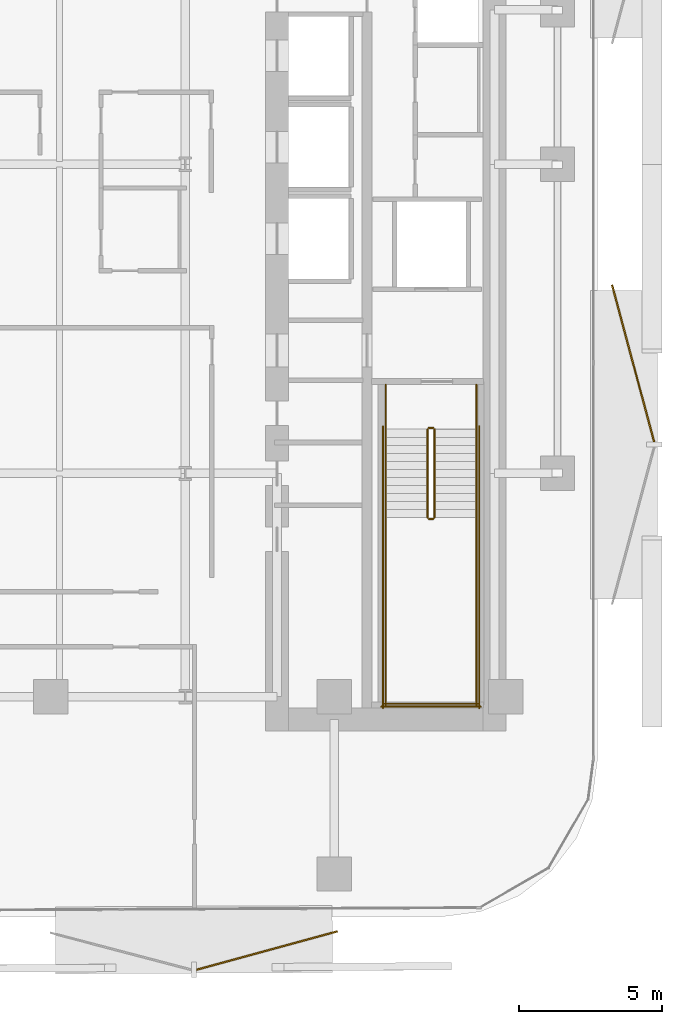
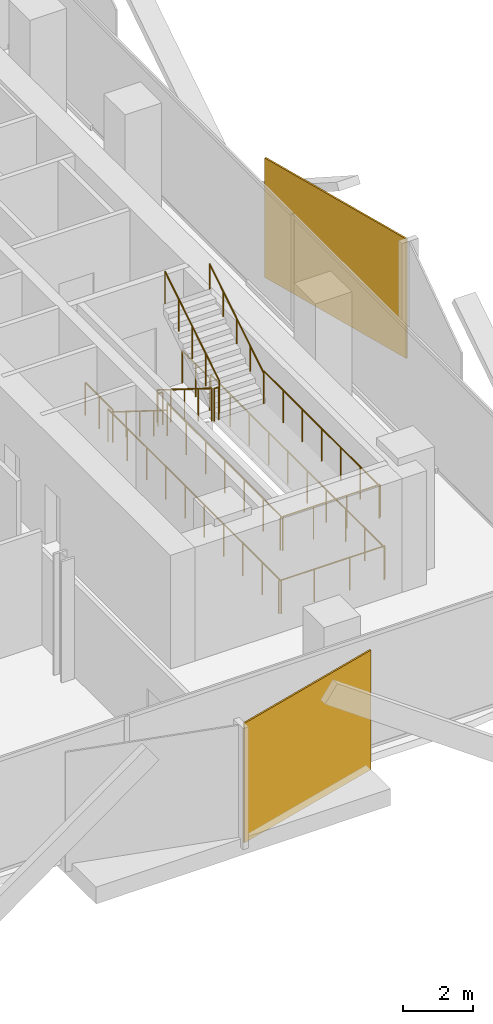
# One storey, part 13 of 15: 14 railings, 2 coverings.
"""IFC4 building model written with IfcOpenShell, lengths in metres."""

from ifc_helpers import new_model, si_unit, direction, frame, origin, origin_2d, place, context, subcontext, project, spatial, rectangle, circle, extrude, material, layer, layer_set, type_object, element, save


model = new_model("IFC4")

# Units and contexts
model_context = context("Model", 3, precision=1e-05, world=origin(), true_north=direction((0.0, 1.0)))
body_context = subcontext(model_context, "Body", "Model", "MODEL_VIEW")
ifc_project = project(units=[si_unit("LENGTHUNIT", "METRE"), si_unit("AREAUNIT", "SQUARE_METRE"), si_unit("VOLUMEUNIT", "CUBIC_METRE"), si_unit("PLANEANGLEUNIT", "RADIAN"), si_unit("MASSUNIT", "GRAM", prefix="KILO")], contexts=[model_context])

# Site, building, storey
site_placement = place(None, origin())
site = spatial("IfcSite", under=ifc_project, at=site_placement, CompositionType="ELEMENT")
building_placement = place(site_placement, origin())
building = spatial("IfcBuilding", under=site, at=building_placement, Name="Khairoan Windgate Tower", CompositionType="ELEMENT")
storey_placement = place(building_placement, frame((0.0, 0.0, 131.0)))
storey = spatial("IfcBuildingStorey", under=building, at=storey_placement, Name="L30", CompositionType="ELEMENT", Elevation=131.0)

# Coverings
ifc_material_1 = material(Name="Anodised Bronze Aluminium 6063-T6", Category="aluminium")
ifc_layer = layer(ifc_material_1, 0.054931640625, Name="Anodised Bronze Aluminium 6063-T6")
ifc_layer_set = layer_set([ifc_layer], Name="Anodised Bronze Aluminium 6063-T6")
covering_type = type_object("IfcCoveringType", Name="Perforated Bronze-Ceramic Folded Solar Screen Cladding BSC-1", PredefinedType="CLADDING", material=ifc_layer_set)
covering_1_placement = place(storey_placement, frame((12.05322265625, -27.472412109375, -0.10009765625), z_axis=(0.0, 0.0, 1.0), x_axis=(-0.964649468762, -0.263536339841, 0.0)))
element("IfcCovering", 1, at=covering_1_placement, inside=storey, type_object=covering_type, Name="L30 Folded Bronze Solar Screen Facet 185L", PredefinedType="CLADDING", context=body_context, shape_type="SweptSolid", body=[
    extrude(rectangle(XDim=5.10107421875, YDim=0.054931640625, at=origin_2d()), origin(), (0.0, 0.0, 1.0), 4.139892578125),
])
covering_2_placement = place(storey_placement, frame((24.8447265625, -6.961669921875, -0.10009765625), z_axis=(0.0, 0.0, 1.0), x_axis=(0.258819045103, -0.965925826289, 0.0)))
element("IfcCovering", 2, at=covering_2_placement, inside=storey, type_object=covering_type, Name="L30 Folded Bronze Solar Screen Facet 192L", PredefinedType="CLADDING", context=body_context, shape_type="SweptSolid", body=[
    extrude(rectangle(XDim=5.680908203125, YDim=0.054931640625, at=origin_2d()), origin(), (0.0, 0.0, 1.0), 4.139892578125),
])

# Railings
ifc_material_2 = material(Name="Anodised Bronze Aluminium 6063-T6", Category="aluminium")
railing_type_1 = type_object("IfcRailingType", Name="Stair Wall Handrail SHR-900", PredefinedType="HANDRAIL", material=ifc_material_2)
railing_1_placement = place(storey_placement, frame((16.199951171875, -9.260009765625, 0.175048828125)))
element("IfcRailing", 3, at=railing_1_placement, inside=storey, type_object=railing_type_1, Name="L30 ST1 stair handrail 1", PredefinedType="HANDRAIL", context=body_context, shape_type="SweptSolid", body=[
    extrude(circle(Radius=0.02392578125, at=origin_2d()), frame((0.0, 0.0, 0.8759765625), z_axis=(0.0, -0.847998304005, 0.529998940003), x_axis=(1.0, 0.0, 0.0)), (0.0, 0.0, 1.0), 3.632080078125),
    extrude(circle(Radius=0.02099609375, at=origin_2d()), origin(), (0.0, 0.0, 1.0), 0.851806640625),
    extrude(circle(Radius=0.02099609375, at=origin_2d()), frame((0.0, -0.77001953125, 0.481201171875)), (0.0, 0.0, 1.0), 0.851806640625),
    extrude(circle(Radius=0.02099609375, at=origin_2d()), frame((0.0, -1.5400390625, 0.96240234375)), (0.0, 0.0, 1.0), 0.851806640625),
    extrude(circle(Radius=0.02099609375, at=origin_2d()), frame((0.0, -2.31005859375, 1.44384765625)), (0.0, 0.0, 1.0), 0.851806640625),
    extrude(circle(Radius=0.02099609375, at=origin_2d()), frame((0.0, -3.080078125, 1.925048828125)), (0.0, 0.0, 1.0), 0.851806640625),
])
railing_2_placement = place(storey_placement, frame((19.3701171875, -12.340087890625, 2.27490234375)))
element("IfcRailing", 4, at=railing_2_placement, inside=storey, type_object=railing_type_1, Name="L30 ST1 stair handrail 2", PredefinedType="HANDRAIL", context=body_context, shape_type="SweptSolid", body=[
    extrude(circle(Radius=0.02392578125, at=origin_2d()), frame((0.0, 0.0, 0.8759765625), z_axis=(0.0, 0.847998304005, 0.529998940003), x_axis=(-1.0, 0.0, 0.0)), (0.0, 0.0, 1.0), 3.632080078125),
    extrude(circle(Radius=0.02099609375, at=origin_2d()), origin(), (0.0, 0.0, 1.0), 0.851806640625),
    extrude(circle(Radius=0.02099609375, at=origin_2d()), frame((0.0, 0.77001953125, 0.481201171875)), (0.0, 0.0, 1.0), 0.851806640625),
    extrude(circle(Radius=0.02099609375, at=origin_2d()), frame((0.0, 1.5400390625, 0.96240234375)), (0.0, 0.0, 1.0), 0.851806640625),
    extrude(circle(Radius=0.02099609375, at=origin_2d()), frame((0.0, 2.31005859375, 1.44384765625)), (0.0, 0.0, 1.0), 0.851806640625),
    extrude(circle(Radius=0.02099609375, at=origin_2d()), frame((0.0, 3.080078125, 1.925048828125)), (0.0, 0.0, 1.0), 0.851806640625),
])
ifc_material_3 = material(Name="Steel S355", Category="steel")
railing_type_2 = type_object("IfcRailingType", Name="Stairwell Safety Guardrail SGR-1150", PredefinedType="GUARDRAIL", material=ifc_material_3)
railing_3_placement = place(storey_placement, frame((17.659912109375, -9.260009765625, 0.175048828125)))
element("IfcRailing", 5, at=railing_3_placement, inside=storey, type_object=railing_type_2, Name="L30 ST1 stair guard 1", PredefinedType="GUARDRAIL", context=body_context, shape_type="SweptSolid", body=[
    extrude(circle(Radius=0.02392578125, at=origin_2d()), frame((0.0, 0.0, 1.1259765625), z_axis=(0.0, -0.847998304005, 0.529998940003), x_axis=(1.0, 0.0, 0.0)), (0.0, 0.0, 1.0), 3.632080078125),
    extrude(circle(Radius=0.02099609375, at=origin_2d()), origin(), (0.0, 0.0, 1.0), 1.101806640625),
    extrude(circle(Radius=0.02099609375, at=origin_2d()), frame((0.0, -0.77001953125, 0.481201171875)), (0.0, 0.0, 1.0), 1.101806640625),
    extrude(circle(Radius=0.02099609375, at=origin_2d()), frame((0.0, -1.5400390625, 0.96240234375)), (0.0, 0.0, 1.0), 1.101806640625),
    extrude(circle(Radius=0.02099609375, at=origin_2d()), frame((0.0, -2.31005859375, 1.44384765625)), (0.0, 0.0, 1.0), 1.101806640625),
    extrude(circle(Radius=0.02099609375, at=origin_2d()), frame((0.0, -3.080078125, 1.925048828125)), (0.0, 0.0, 1.0), 1.101806640625),
])
railing_4_placement = place(storey_placement, frame((17.7099609375, -12.389892578125, 2.10009765625)))
element("IfcRailing", 6, at=railing_4_placement, inside=storey, type_object=railing_type_2, Name="L30 ST1 stair guard 2", PredefinedType="GUARDRAIL", context=body_context, shape_type="SweptSolid", body=[
    extrude(circle(Radius=0.02392578125, at=origin_2d()), frame((0.0, 0.0, 1.1259765625), z_axis=(1.0, 0.0, 0.0), x_axis=(0.0, 1.0, 0.0)), (0.0, 0.0, 1.0), 0.150146484375),
    extrude(circle(Radius=0.02099609375, at=origin_2d()), origin(), (0.0, 0.0, 1.0), 1.101806640625),
    extrude(circle(Radius=0.02099609375, at=origin_2d()), frame((0.150146484375, 0.0, 0.0)), (0.0, 0.0, 1.0), 1.101806640625),
])
for number, where, name in (
    (7, (16.199951171875, -12.340087890625, 2.10009765625), "L30 ST1 stair guard 3"),
    (8, (19.3701171875, -12.340087890625, 2.10009765625), "L30 ST1 stair guard 4"),
):
    element("IfcRailing", number, at=place(storey_placement, frame(where)), inside=storey, type_object=railing_type_2, Name=name, PredefinedType="GUARDRAIL", context=body_context, shape_type="SweptSolid", body=[
        extrude(circle(Radius=0.02392578125, at=origin_2d()), frame((0.0, 0.0, 1.1259765625), z_axis=(0.0, -1.0, 0.0), x_axis=(1.0, 0.0, 0.0)), (0.0, 0.0, 1.0), 6.559814453125),
        extrude(circle(Radius=0.02099609375, at=origin_2d()), origin(), (0.0, 0.0, 1.0), 1.101806640625),
        extrude(circle(Radius=0.02099609375, at=origin_2d()), frame((0.0, -1.09326171875, 0.0)), (0.0, 0.0, 1.0), 1.101806640625),
        extrude(circle(Radius=0.02099609375, at=origin_2d()), frame((0.0, -2.1865234375, 0.0)), (0.0, 0.0, 1.0), 1.101806640625),
        extrude(circle(Radius=0.02099609375, at=origin_2d()), frame((0.0, -3.27978515625, 0.0)), (0.0, 0.0, 1.0), 1.101806640625),
        extrude(circle(Radius=0.02099609375, at=origin_2d()), frame((0.0, -4.373291015625, 0.0)), (0.0, 0.0, 1.0), 1.101806640625),
        extrude(circle(Radius=0.02099609375, at=origin_2d()), frame((0.0, -5.466552734375, 0.0)), (0.0, 0.0, 1.0), 1.101806640625),
        extrude(circle(Radius=0.02099609375, at=origin_2d()), frame((0.0, -6.559814453125, 0.0)), (0.0, 0.0, 1.0), 1.101806640625),
    ])
railing_5_placement = place(storey_placement, frame((16.14990234375, -18.85009765625, 2.10009765625)))
element("IfcRailing", 9, at=railing_5_placement, inside=storey, type_object=railing_type_2, Name="L30 ST1 stair guard 5", PredefinedType="GUARDRAIL", context=body_context, shape_type="SweptSolid", body=[
    extrude(circle(Radius=0.02392578125, at=origin_2d()), frame((0.0, 0.0, 1.1259765625), z_axis=(1.0, 0.0, 0.0), x_axis=(0.0, 1.0, 0.0)), (0.0, 0.0, 1.0), 3.27001953125),
    extrude(circle(Radius=0.02099609375, at=origin_2d()), origin(), (0.0, 0.0, 1.0), 1.101806640625),
    extrude(circle(Radius=0.02099609375, at=origin_2d()), frame((1.090087890625, 0.0, 0.0)), (0.0, 0.0, 1.0), 1.101806640625),
    extrude(circle(Radius=0.02099609375, at=origin_2d()), frame((2.179931640625, 0.0, 0.0)), (0.0, 0.0, 1.0), 1.101806640625),
    extrude(circle(Radius=0.02099609375, at=origin_2d()), frame((3.27001953125, 0.0, 0.0)), (0.0, 0.0, 1.0), 1.101806640625),
])
railing_6_placement = place(storey_placement, frame((17.909912109375, -12.340087890625, 2.27490234375)))
element("IfcRailing", 10, at=railing_6_placement, inside=storey, type_object=railing_type_2, Name="L30 ST1 stair guard 6", PredefinedType="GUARDRAIL", context=body_context, shape_type="SweptSolid", body=[
    extrude(circle(Radius=0.02392578125, at=origin_2d()), frame((0.0, 0.0, 1.1259765625), z_axis=(0.0, 0.847998304005, 0.529998940003), x_axis=(-1.0, 0.0, 0.0)), (0.0, 0.0, 1.0), 3.632080078125),
    extrude(circle(Radius=0.02099609375, at=origin_2d()), origin(), (0.0, 0.0, 1.0), 1.101806640625),
    extrude(circle(Radius=0.02099609375, at=origin_2d()), frame((0.0, 0.77001953125, 0.481201171875)), (0.0, 0.0, 1.0), 1.101806640625),
    extrude(circle(Radius=0.02099609375, at=origin_2d()), frame((0.0, 1.5400390625, 0.96240234375)), (0.0, 0.0, 1.0), 1.101806640625),
    extrude(circle(Radius=0.02099609375, at=origin_2d()), frame((0.0, 2.31005859375, 1.44384765625)), (0.0, 0.0, 1.0), 1.101806640625),
    extrude(circle(Radius=0.02099609375, at=origin_2d()), frame((0.0, 3.080078125, 1.925048828125)), (0.0, 0.0, 1.0), 1.101806640625),
])
railing_7_placement = place(storey_placement, frame((17.7099609375, -9.2099609375, 0.0)))
element("IfcRailing", 11, at=railing_7_placement, inside=storey, type_object=railing_type_2, Name="L30 ST1 stair guard 7", PredefinedType="GUARDRAIL", context=body_context, shape_type="SweptSolid", body=[
    extrude(circle(Radius=0.02392578125, at=origin_2d()), frame((0.0, 0.0, 1.1259765625), z_axis=(1.0, 0.0, 0.0), x_axis=(0.0, 1.0, 0.0)), (0.0, 0.0, 1.0), 0.150146484375),
    extrude(circle(Radius=0.02099609375, at=origin_2d()), origin(), (0.0, 0.0, 1.0), 1.101806640625),
    extrude(circle(Radius=0.02099609375, at=origin_2d()), frame((0.150146484375, 0.0, 0.0)), (0.0, 0.0, 1.0), 1.101806640625),
])
for number, where, name in (
    (12, (16.199951171875, -7.699951171875, 0.0), "L30 ST1 stair guard 8"),
    (13, (19.3701171875, -7.699951171875, 0.0), "L30 ST1 stair guard 9"),
):
    element("IfcRailing", number, at=place(storey_placement, frame(where)), inside=storey, type_object=railing_type_2, Name=name, PredefinedType="GUARDRAIL", context=body_context, shape_type="SweptSolid", body=[
        extrude(circle(Radius=0.02392578125, at=origin_2d()), frame((0.0, 0.0, 1.1259765625), z_axis=(0.0, -1.0, 0.0), x_axis=(1.0, 0.0, 0.0)), (0.0, 0.0, 1.0), 1.56005859375),
        extrude(circle(Radius=0.02099609375, at=origin_2d()), origin(), (0.0, 0.0, 1.0), 1.101806640625),
        extrude(circle(Radius=0.02099609375, at=origin_2d()), frame((0.0, -0.780029296875, 0.0)), (0.0, 0.0, 1.0), 1.101806640625),
        extrude(circle(Radius=0.02099609375, at=origin_2d()), frame((0.0, -1.56005859375, 0.0)), (0.0, 0.0, 1.0), 1.101806640625),
    ])
for number, where, name in (
    (14, (16.10009765625, -9.159912109375, 0.0), "L30 ST1 stair guard 10"),
    (15, (19.469970703125, -9.159912109375, 0.0), "L30 ST1 stair guard 11"),
):
    element("IfcRailing", number, at=place(storey_placement, frame(where)), inside=storey, type_object=railing_type_2, Name=name, PredefinedType="GUARDRAIL", context=body_context, shape_type="SweptSolid", body=[
        extrude(circle(Radius=0.02392578125, at=origin_2d()), frame((0.0, 0.0, 1.1259765625), z_axis=(0.0, -1.0, 0.0), x_axis=(1.0, 0.0, 0.0)), (0.0, 0.0, 1.0), 9.840087890625),
        extrude(circle(Radius=0.02099609375, at=origin_2d()), origin(), (0.0, 0.0, 1.0), 1.101806640625),
        extrude(circle(Radius=0.02099609375, at=origin_2d()), frame((0.0, -1.09326171875, 0.0)), (0.0, 0.0, 1.0), 1.101806640625),
        extrude(circle(Radius=0.02099609375, at=origin_2d()), frame((0.0, -2.186767578125, 0.0)), (0.0, 0.0, 1.0), 1.101806640625),
        extrude(circle(Radius=0.02099609375, at=origin_2d()), frame((0.0, -3.280029296875, 0.0)), (0.0, 0.0, 1.0), 1.101806640625),
        extrude(circle(Radius=0.02099609375, at=origin_2d()), frame((0.0, -4.373291015625, 0.0)), (0.0, 0.0, 1.0), 1.101806640625),
        extrude(circle(Radius=0.02099609375, at=origin_2d()), frame((0.0, -5.466796875, 0.0)), (0.0, 0.0, 1.0), 1.101806640625),
        extrude(circle(Radius=0.02099609375, at=origin_2d()), frame((0.0, -6.56005859375, 0.0)), (0.0, 0.0, 1.0), 1.101806640625),
        extrude(circle(Radius=0.02099609375, at=origin_2d()), frame((0.0, -7.6533203125, 0.0)), (0.0, 0.0, 1.0), 1.101806640625),
        extrude(circle(Radius=0.02099609375, at=origin_2d()), frame((0.0, -8.746826171875, 0.0)), (0.0, 0.0, 1.0), 1.101806640625),
        extrude(circle(Radius=0.02099609375, at=origin_2d()), frame((0.0, -9.840087890625, 0.0)), (0.0, 0.0, 1.0), 1.101806640625),
    ])
railing_8_placement = place(storey_placement, frame((16.050048828125, -18.949951171875, 0.0)))
element("IfcRailing", 16, at=railing_8_placement, inside=storey, type_object=railing_type_2, Name="L30 ST1 stair guard 12", PredefinedType="GUARDRAIL", context=body_context, shape_type="SweptSolid", body=[
    extrude(circle(Radius=0.02392578125, at=origin_2d()), frame((0.0, 0.0, 1.1259765625), z_axis=(1.0, 0.0, 0.0), x_axis=(0.0, 1.0, 0.0)), (0.0, 0.0, 1.0), 3.469970703125),
    extrude(circle(Radius=0.02099609375, at=origin_2d()), origin(), (0.0, 0.0, 1.0), 1.101806640625),
    extrude(circle(Radius=0.02099609375, at=origin_2d()), frame((1.15673828125, 0.0, 0.0)), (0.0, 0.0, 1.0), 1.101806640625),
    extrude(circle(Radius=0.02099609375, at=origin_2d()), frame((2.313232421875, 0.0, 0.0)), (0.0, 0.0, 1.0), 1.101806640625),
    extrude(circle(Radius=0.02099609375, at=origin_2d()), frame((3.469970703125, 0.0, 0.0)), (0.0, 0.0, 1.0), 1.101806640625),
])

save(model, "model.ifc")
